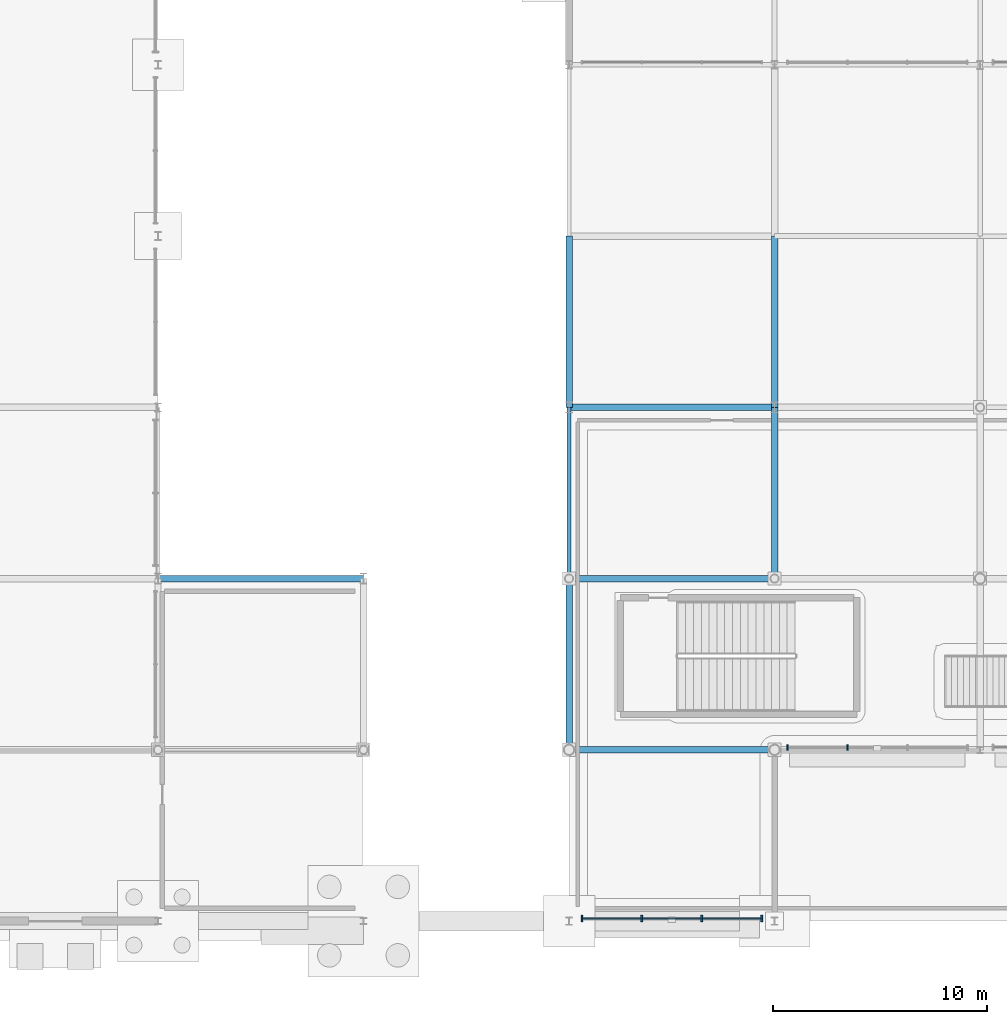
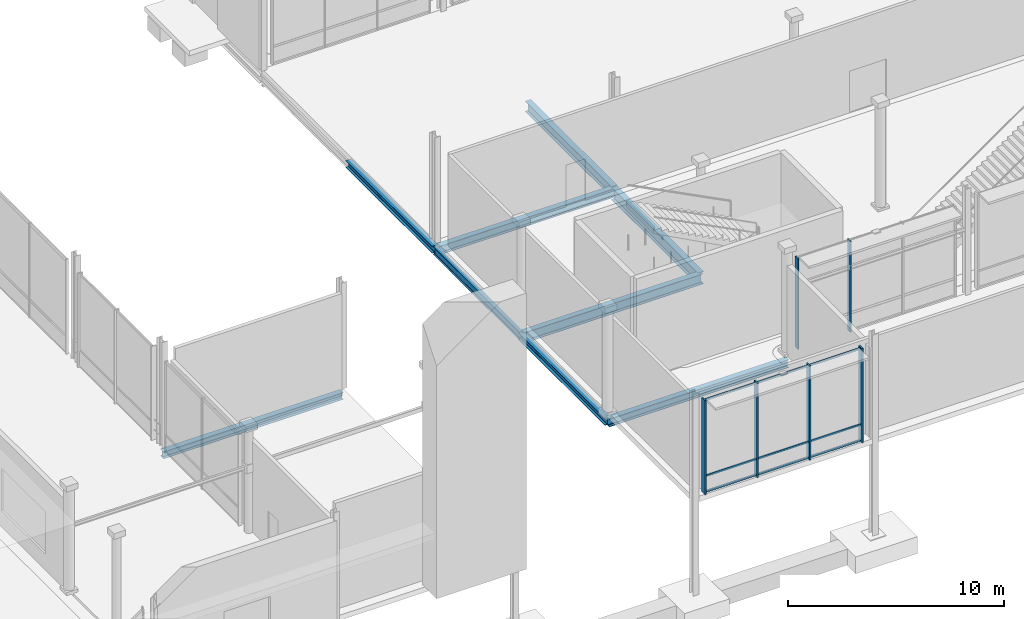
# One storey, part 53 of 124: 9 beams, 9 members, 2 elements without a shape of their own.
"""IFC4 building model written with IfcOpenShell, lengths in metres."""

from ifc_helpers import new_model, si_unit, direction, frame, origin, origin_2d, place, context, subcontext, project, spatial, rectangle, i_section, extrude, material, material_profile, profile_set, type_object, element, aggregate, save


model = new_model("IFC4")

# Units and contexts
model_context = context("Model", 3, precision=1e-05, world=origin(), true_north=direction((0.0, 1.0)))
body_context = subcontext(model_context, "Body", "Model", "MODEL_VIEW")
ifc_project = project(units=[si_unit("LENGTHUNIT", "METRE"), si_unit("AREAUNIT", "SQUARE_METRE"), si_unit("VOLUMEUNIT", "CUBIC_METRE"), si_unit("PLANEANGLEUNIT", "RADIAN"), si_unit("MASSUNIT", "GRAM", prefix="KILO")], contexts=[model_context])

# Site, building, storey
site_placement = place(None, origin())
site = spatial("IfcSite", under=ifc_project, at=site_placement, CompositionType="ELEMENT")
building_placement = place(site_placement, origin())
building = spatial("IfcBuilding", under=site, at=building_placement, Name="Danafjord Basin Convention Centre", CompositionType="ELEMENT")
storey_placement = place(building_placement, origin())
storey = spatial("IfcBuildingStorey", under=building, at=storey_placement, Name="L00", CompositionType="ELEMENT", Elevation=0.0)

# Beams
ifc_material_1 = material(Name="Steel S355", Category="steel")
ifc_material_profile_1 = material_profile(ifc_material_1, i_section(OverallWidth=0.300048828125, OverallDepth=0.489990234375, WebThickness=0.011962890625, FlangeThickness=0.02294921875, FilletRadius=0.027099609375, at=origin_2d()), Name="HEA 500")
ifc_profile_set_1 = profile_set([ifc_material_profile_1], Name="Steel S355")
beam_type_1 = type_object("IfcBeamType", Name="BEAM-BM-HEA500", PredefinedType="BEAM", material=ifc_profile_set_1)
beam_1_placement = place(storey_placement, frame((144.0, 24.0, -0.554931640625), z_axis=(1.0, 0.0, 0.0), x_axis=(0.0, 1.0, 0.0)))
element("IfcBeam", 1, at=beam_1_placement, inside=storey, type_object=beam_type_1, Name="L00 girder BM-HEA500", PredefinedType="BEAM", context=body_context, shape_type="SweptSolid", body=[
    extrude(i_section(OverallWidth=0.300048828125, OverallDepth=0.489990234375, WebThickness=0.011962890625, FlangeThickness=0.02294921875, FilletRadius=0.027099609375, at=origin_2d()), origin(), (0.0, 0.0, 1.0), 9.60009765625),
])
ifc_material_profile_2 = material_profile(ifc_material_1, i_section(OverallWidth=0.300048828125, OverallDepth=0.590087890625, WebThickness=0.012939453125, FlangeThickness=0.02490234375, FilletRadius=0.027099609375, at=origin_2d()), Name="HEA 600")
ifc_profile_set_2 = profile_set([ifc_material_profile_2], Name="Steel S355")
beam_type_2 = type_object("IfcBeamType", Name="BEAM-BM-HEA600", PredefinedType="BEAM", material=ifc_profile_set_2)
beam_2_placement = place(storey_placement, frame((144.0, 16.0, -0.60498046875), z_axis=(1.0, 0.0, 0.0), x_axis=(0.0, 1.0, 0.0)))
element("IfcBeam", 2, at=beam_2_placement, inside=storey, type_object=beam_type_2, Name="L00 girder BM-HEA600", PredefinedType="BEAM", context=body_context, shape_type="SweptSolid", body=[
    extrude(i_section(OverallWidth=0.300048828125, OverallDepth=0.590087890625, WebThickness=0.012939453125, FlangeThickness=0.02490234375, FilletRadius=0.027099609375, at=origin_2d()), origin(), (0.0, 0.0, 1.0), 9.60009765625),
])
ifc_material_profile_3 = material_profile(ifc_material_1, i_section(OverallWidth=0.300048828125, OverallDepth=0.449951171875, WebThickness=0.013916015625, FlangeThickness=0.02587890625, FilletRadius=0.027099609375, at=origin_2d()), Name="HEB 450")
ifc_profile_set_3 = profile_set([ifc_material_profile_3], Name="Steel S355")
beam_type_3 = type_object("IfcBeamType", Name="BEAM-BM-HEB450", PredefinedType="BEAM", material=ifc_profile_set_3)
beam_3_placement = place(storey_placement, frame((144.0, 8.0, -0.534912109375), z_axis=(1.0, 0.0, 0.0), x_axis=(0.0, 1.0, 0.0)))
element("IfcBeam", 3, at=beam_3_placement, inside=storey, type_object=beam_type_3, Name="L00 girder BM-HEB450", PredefinedType="BEAM", context=body_context, shape_type="SweptSolid", body=[
    extrude(i_section(OverallWidth=0.300048828125, OverallDepth=0.449951171875, WebThickness=0.013916015625, FlangeThickness=0.02587890625, FilletRadius=0.027099609375, at=origin_2d()), origin(), (0.0, 0.0, 1.0), 9.60009765625),
])
ifc_material_profile_4 = material_profile(ifc_material_1, i_section(OverallWidth=0.300048828125, OverallDepth=0.60009765625, WebThickness=0.015380859375, FlangeThickness=0.030029296875, FilletRadius=0.027099609375, at=origin_2d()), Name="HEB 600")
ifc_profile_set_4 = profile_set([ifc_material_profile_4], Name="Steel S355")
beam_type_4 = type_object("IfcBeamType", Name="BEAM-BM-HEB600", PredefinedType="BEAM", material=ifc_profile_set_4)
beam_4_placement = place(storey_placement, frame((153.60009765625, 24.0, -0.580078125), z_axis=(0.0, 1.0, 0.0), x_axis=(-1.0, 0.0, 0.0)))
element("IfcBeam", 4, at=beam_4_placement, inside=storey, type_object=beam_type_4, Name="L00 transverse girder BM-HEB600", PredefinedType="BEAM", context=body_context, shape_type="SweptSolid", body=[
    extrude(i_section(OverallWidth=0.300048828125, OverallDepth=0.60009765625, WebThickness=0.015380859375, FlangeThickness=0.030029296875, FilletRadius=0.027099609375, at=origin_2d()), origin(), (0.0, 0.0, 1.0), 8.0),
])
ifc_material_profile_5 = material_profile(ifc_material_1, i_section(OverallWidth=0.300048828125, OverallDepth=0.699951171875, WebThickness=0.01708984375, FlangeThickness=0.031982421875, FilletRadius=0.027099609375, at=origin_2d()), Name="HEB 700")
ifc_profile_set_5 = profile_set([ifc_material_profile_5], Name="Steel S355")
beam_type_5 = type_object("IfcBeamType", Name="BEAM-BM-HEB700", PredefinedType="BEAM", material=ifc_profile_set_5)
beam_5_placement = place(storey_placement, frame((153.60009765625, 16.0, -0.659912109375), z_axis=(0.0, 1.0, 0.0), x_axis=(-1.0, 0.0, 0.0)))
element("IfcBeam", 5, at=beam_5_placement, inside=storey, type_object=beam_type_5, Name="L00 transverse girder BM-HEB700", PredefinedType="BEAM", context=body_context, shape_type="SweptSolid", body=[
    extrude(i_section(OverallWidth=0.300048828125, OverallDepth=0.699951171875, WebThickness=0.01708984375, FlangeThickness=0.031982421875, FilletRadius=0.027099609375, at=origin_2d()), origin(), (0.0, 0.0, 1.0), 8.0),
])
ifc_material_profile_6 = material_profile(ifc_material_1, i_section(OverallWidth=0.300048828125, OverallDepth=0.39990234375, WebThickness=0.013427734375, FlangeThickness=0.02392578125, FilletRadius=0.027099609375, at=origin_2d()), Name="HEB 400")
ifc_profile_set_6 = profile_set([ifc_material_profile_6], Name="Steel S355")
beam_type_6 = type_object("IfcBeamType", Name="BEAM-SP-HEB400", PredefinedType="SPANDREL", material=ifc_profile_set_6)
beam_6_placement = place(storey_placement, frame((124.800048828125, 16.0, -0.489990234375), z_axis=(1.0, 0.0, 0.0), x_axis=(0.0, 1.0, 0.0)))
element("IfcBeam", 6, at=beam_6_placement, inside=storey, type_object=beam_type_6, Name="L00 girder SP-HEB400", PredefinedType="SPANDREL", context=body_context, shape_type="SweptSolid", body=[
    extrude(i_section(OverallWidth=0.300048828125, OverallDepth=0.39990234375, WebThickness=0.013427734375, FlangeThickness=0.02392578125, FilletRadius=0.027099609375, at=origin_2d()), origin(), (0.0, 0.0, 1.0), 9.599853515625),
])
for number, where, z_axis, x_axis, name in (
    (7, (144.0, 8.0, -0.510009765625), (0.0, 1.0, 0.0), (-1.0, 0.0, 0.0), "L00 transverse girder SP-HEB400"),
    (8, (144.0, 24.0, -0.47998046875), (0.0, 1.0, 0.0), (-1.0, 0.0, 0.0), "L00 transverse girder SP-HEB400"),
):
    element("IfcBeam", number, at=place(storey_placement, frame(where, z_axis=z_axis, x_axis=x_axis)), inside=storey, type_object=beam_type_6, Name=name, PredefinedType="SPANDREL", context=body_context, shape_type="SweptSolid", body=[
        extrude(i_section(OverallWidth=0.300048828125, OverallDepth=0.39990234375, WebThickness=0.013427734375, FlangeThickness=0.02392578125, FilletRadius=0.027099609375, at=origin_2d()), origin(), (0.0, 0.0, 1.0), 8.0),
    ])
ifc_material_profile_7 = material_profile(ifc_material_1, i_section(OverallWidth=0.18994140625, OverallDepth=0.449951171875, WebThickness=0.009521484375, FlangeThickness=0.0146484375, FilletRadius=0.02099609375, at=origin_2d()), Name="IPE 450")
ifc_profile_set_7 = profile_set([ifc_material_profile_7], Name="Steel S355")
beam_type_7 = type_object("IfcBeamType", Name="BEAM-SP-IPE450", PredefinedType="SPANDREL", material=ifc_profile_set_7)
beam_7_placement = place(storey_placement, frame((144.0, 16.0, -0.534912109375), z_axis=(0.0, 1.0, 0.0), x_axis=(-1.0, 0.0, 0.0)))
element("IfcBeam", 9, at=beam_7_placement, inside=storey, type_object=beam_type_7, Name="L00 transverse girder SP-IPE450", PredefinedType="SPANDREL", context=body_context, shape_type="SweptSolid", body=[
    extrude(i_section(OverallWidth=0.18994140625, OverallDepth=0.449951171875, WebThickness=0.009521484375, FlangeThickness=0.0146484375, FilletRadius=0.02099609375, at=origin_2d()), origin(), (0.0, 0.0, 1.0), 8.0),
])

# Curtain wall, members
ifc_material_2 = material(Name="Anodised aluminium and triple glazing", Category="aluminium")
curtain_wall_type = type_object("IfcCurtainWallType", Name="CW-CW-HARB", PredefinedType="NOTDEFINED", material=ifc_material_2)
curtain_wall_1_placement = place(storey_placement, origin())
curtain_wall_1 = element("IfcCurtainWall", 10, at=curtain_wall_1_placement, inside=storey, type_object=curtain_wall_type, Name="L00 CW-HARB unitised curtain wall bay 143", PredefinedType="NOTDEFINED")
ifc_material_3 = material(Name="Anodised aluminium EN AW-6060", Category="aluminium")
ifc_material_profile_8 = material_profile(ifc_material_3, rectangle(XDim=0.070068359375, YDim=0.260009765625, at=origin_2d()), Name="MULL 70x260")
ifc_profile_set_8 = profile_set([ifc_material_profile_8], Name="Anodised aluminium EN AW-6060")
member_type_1 = type_object("IfcMemberType", Name="MEM-ML-260", PredefinedType="MULLION", material=ifc_profile_set_8)
member_1_placement = place(storey_placement, frame((154.199951171875, 8.1201171875, -0.02490234375), z_axis=(0.0, 0.0, 1.0), x_axis=(1.0, 0.0, 0.0)))
member_1 = element("IfcMember", 11, at=member_1_placement, type_object=member_type_1, Name="CW-L00-143 mullion 1", PredefinedType="MULLION", context=body_context, shape_type="SweptSolid", body=[
    extrude(rectangle(XDim=0.070068359375, YDim=0.260009765625, at=origin_2d()), origin(), (0.0, 0.0, 1.0), 5.135009765625),
])
member_2_placement = place(storey_placement, frame((157.0, 8.1201171875, -0.02490234375), z_axis=(0.0, 0.0, 1.0), x_axis=(1.0, 0.0, 0.0)))
member_2 = element("IfcMember", 12, at=member_2_placement, type_object=member_type_1, Name="CW-L00-143 mullion 2", PredefinedType="MULLION", context=body_context, shape_type="SweptSolid", body=[
    extrude(rectangle(XDim=0.070068359375, YDim=0.260009765625, at=origin_2d()), origin(), (0.0, 0.0, 1.0), 5.135009765625),
])
aggregate(curtain_wall_1, [member_1, member_2])

curtain_wall_2_placement = place(storey_placement, origin())
curtain_wall_2 = element("IfcCurtainWall", 13, at=curtain_wall_2_placement, inside=storey, type_object=curtain_wall_type, Name="L00 CW-HARB unitised curtain wall bay 129", PredefinedType="NOTDEFINED")
ifc_material_profile_9 = material_profile(ifc_material_3, rectangle(XDim=0.080078125, YDim=0.300048828125, at=origin_2d()), Name="MULL 80x300")
ifc_profile_set_9 = profile_set([ifc_material_profile_9], Name="Anodised aluminium EN AW-6060")
member_type_2 = type_object("IfcMemberType", Name="MEM-ML-300", PredefinedType="MULLION", material=ifc_profile_set_9)
member_3_placement = place(storey_placement, frame((144.60009765625, 0.1201171875, -0.02490234375), z_axis=(0.0, 0.0, 1.0), x_axis=(1.0, 0.0, 0.0)))
member_3 = element("IfcMember", 14, at=member_3_placement, type_object=member_type_2, Name="CW-L00-129 mullion 1", PredefinedType="MULLION", context=body_context, shape_type="SweptSolid", body=[
    extrude(rectangle(XDim=0.080078125, YDim=0.300048828125, at=origin_2d()), origin(), (0.0, 0.0, 1.0), 5.3349609375),
])
member_4_placement = place(storey_placement, frame((147.39990234375, 0.1201171875, -0.02490234375), z_axis=(0.0, 0.0, 1.0), x_axis=(1.0, 0.0, 0.0)))
member_4 = element("IfcMember", 15, at=member_4_placement, type_object=member_type_2, Name="CW-L00-129 mullion 2", PredefinedType="MULLION", context=body_context, shape_type="SweptSolid", body=[
    extrude(rectangle(XDim=0.080078125, YDim=0.300048828125, at=origin_2d()), origin(), (0.0, 0.0, 1.0), 5.3349609375),
])
member_5_placement = place(storey_placement, frame((150.199951171875, 0.1201171875, -0.02490234375), z_axis=(0.0, 0.0, 1.0), x_axis=(1.0, 0.0, 0.0)))
member_5 = element("IfcMember", 16, at=member_5_placement, type_object=member_type_2, Name="CW-L00-129 mullion 3", PredefinedType="MULLION", context=body_context, shape_type="SweptSolid", body=[
    extrude(rectangle(XDim=0.080078125, YDim=0.300048828125, at=origin_2d()), origin(), (0.0, 0.0, 1.0), 5.3349609375),
])
member_6_placement = place(storey_placement, frame((153.0, 0.1201171875, -0.02490234375), z_axis=(0.0, 0.0, 1.0), x_axis=(1.0, 0.0, 0.0)))
member_6 = element("IfcMember", 17, at=member_6_placement, type_object=member_type_2, Name="CW-L00-129 mullion 4", PredefinedType="MULLION", context=body_context, shape_type="SweptSolid", body=[
    extrude(rectangle(XDim=0.080078125, YDim=0.300048828125, at=origin_2d()), origin(), (0.0, 0.0, 1.0), 5.3349609375),
])
ifc_material_profile_10 = material_profile(ifc_material_3, rectangle(XDim=0.06005859375, YDim=0.110107421875, at=origin_2d()), Name="TRAN 60x110")
ifc_profile_set_10 = profile_set([ifc_material_profile_10], Name="Anodised aluminium EN AW-6060")
member_type_3 = type_object("IfcMemberType", Name="MEM-TR-110", PredefinedType="USERDEFINED", material=ifc_profile_set_10)
member_7_placement = place(storey_placement, frame((144.60009765625, 0.1201171875, 0.06005859375), z_axis=(1.0, 0.0, 0.0), x_axis=(0.0, 1.0, 0.0)))
member_7 = element("IfcMember", 18, at=member_7_placement, type_object=member_type_3, Name="CW-L00-129 transom 1", ObjectType="TRANSOM", PredefinedType="USERDEFINED", context=body_context, shape_type="SweptSolid", body=[
    extrude(rectangle(XDim=0.06005859375, YDim=0.110107421875, at=origin_2d()), origin(), (0.0, 0.0, 1.0), 8.39990234375),
])
member_8_placement = place(storey_placement, frame((144.60009765625, 0.1201171875, 0.949951171875), z_axis=(1.0, 0.0, 0.0), x_axis=(0.0, 1.0, 0.0)))
member_8 = element("IfcMember", 19, at=member_8_placement, type_object=member_type_3, Name="CW-L00-129 transom 2", ObjectType="TRANSOM", PredefinedType="USERDEFINED", context=body_context, shape_type="SweptSolid", body=[
    extrude(rectangle(XDim=0.06005859375, YDim=0.110107421875, at=origin_2d()), origin(), (0.0, 0.0, 1.0), 8.39990234375),
])
member_9_placement = place(storey_placement, frame((144.60009765625, 0.1201171875, 5.239990234375), z_axis=(1.0, 0.0, 0.0), x_axis=(0.0, 1.0, 0.0)))
member_9 = element("IfcMember", 20, at=member_9_placement, type_object=member_type_3, Name="CW-L00-129 transom 3", ObjectType="TRANSOM", PredefinedType="USERDEFINED", context=body_context, shape_type="SweptSolid", body=[
    extrude(rectangle(XDim=0.06005859375, YDim=0.110107421875, at=origin_2d()), origin(), (0.0, 0.0, 1.0), 8.39990234375),
])
aggregate(curtain_wall_2, [member_3, member_4, member_5, member_6, member_7, member_8, member_9])

save(model, "model.ifc")
